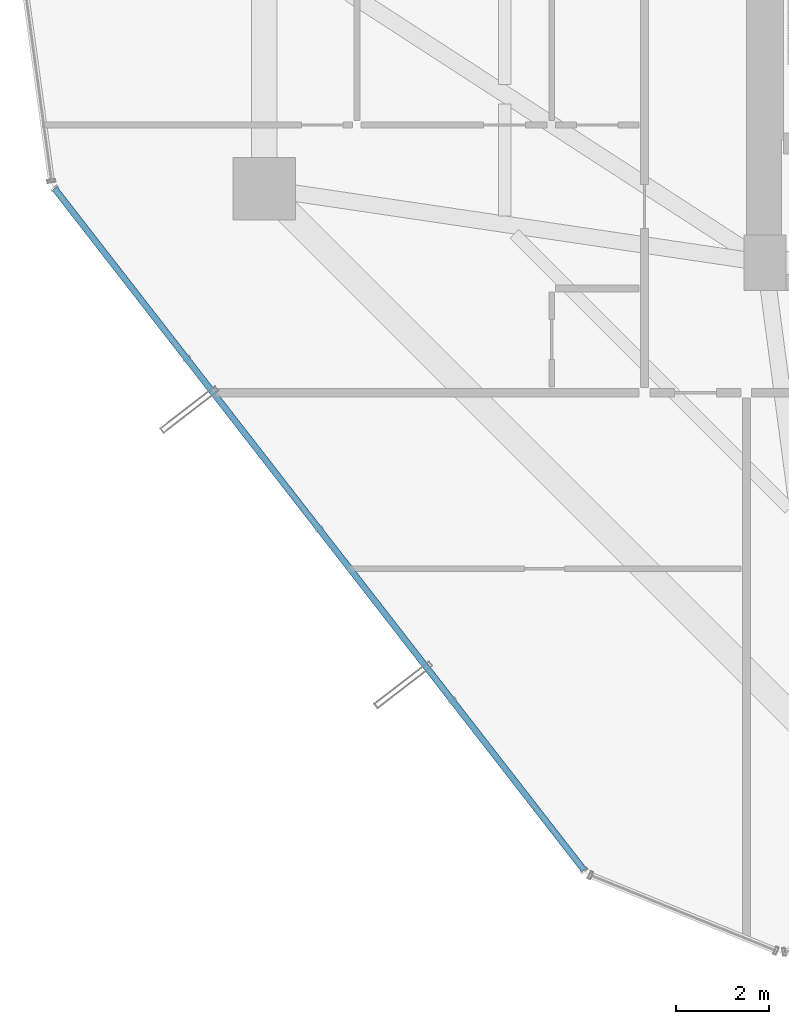
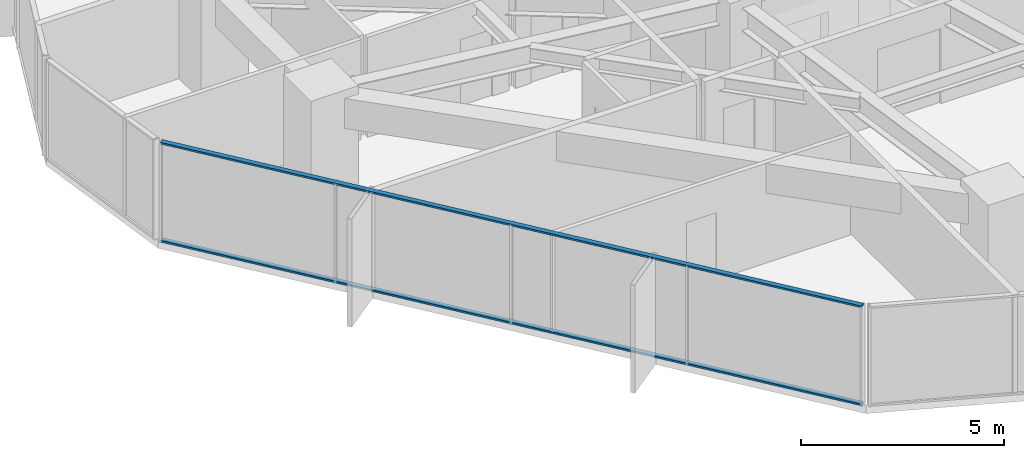
# One storey, part 3 of 37: 2 members, 1 element without a shape of its own.
"""IFC4 building model written with IfcOpenShell, lengths in metres."""

from ifc_helpers import new_model, si_unit, direction, frame, origin, origin_2d, place, context, subcontext, project, spatial, hollow_rectangle, extrude, source, transform, mapped, material, layer, layer_set, material_profile, profile_set, type_object, element, aggregate, save


model = new_model("IFC4")

# Units and contexts
model_context = context("Model", 3, precision=1e-05, world=origin(), true_north=direction((0.0, 1.0)))
body_context = subcontext(model_context, "Body", "Model", "MODEL_VIEW")
ifc_project = project(units=[si_unit("LENGTHUNIT", "METRE"), si_unit("AREAUNIT", "SQUARE_METRE"), si_unit("VOLUMEUNIT", "CUBIC_METRE"), si_unit("PLANEANGLEUNIT", "RADIAN"), si_unit("MASSUNIT", "GRAM", prefix="KILO")], contexts=[model_context])

# Site, building, storey
site_placement = place(None, origin())
site = spatial("IfcSite", under=ifc_project, at=site_placement, CompositionType="ELEMENT")
building_placement = place(site_placement, origin())
building = spatial("IfcBuilding", under=site, at=building_placement, Name="Veraguas Prism Commons", CompositionType="ELEMENT")
storey_placement = place(building_placement, frame((0.0, 0.0, 50.050048828125)))
storey = spatial("IfcBuildingStorey", under=building, at=storey_placement, Name="L13", CompositionType="ELEMENT", Elevation=50.050048828125)

# Curtain wall, members
ifc_material = material(Name="Anodised aluminium EN AW-6063 T6", Category="aluminium")
ifc_layer = layer(ifc_material, 0.169921875, Name="Unitised Flush Curtain Wall Zone 1", Category="aluminium")
ifc_layer_set = layer_set([ifc_layer], Name="Anodised aluminium EN AW-6063 T6")
curtain_wall_type = type_object("IfcCurtainWallType", Name="Unitised Flush Curtain Wall Zone 1", PredefinedType="NOTDEFINED", material=ifc_layer_set)
curtain_wall_placement = place(storey_placement, origin())
curtain_wall = element("IfcCurtainWall", 1, at=curtain_wall_placement, inside=storey, type_object=curtain_wall_type, Name="Tower Facade Curtain Wall L13-F4", PredefinedType="NOTDEFINED")
ifc_material_profile = material_profile(ifc_material, hollow_rectangle(XDim=0.054931640625, YDim=0.135009765625, WallThickness=0.0029296875, at=origin_2d()), Name="AL55X135X3")
ifc_profile_set = profile_set([ifc_material_profile], Name="Anodised aluminium EN AW-6063 T6")
member_type = type_object("IfcMemberType", Name="Curtain Wall Transom Standard AL 55x135x3", PredefinedType="USERDEFINED", material=ifc_profile_set)
shared_shape = source(origin(), body_context, "Body", "SweptSolid", [
    extrude(hollow_rectangle(XDim=0.054931640625, YDim=0.135009765625, WallThickness=0.0029296875, at=origin_2d()), origin(), (0.0, 0.0, 1.0), 18.6240234375),
])
member_1_placement = place(storey_placement, frame((1.873291015625, 18.603515625, 0.02734375), z_axis=(0.613461316455, -0.789724770545, 0.0), x_axis=(0.0, 0.0, 1.0)))
member_1 = element("IfcMember", 2, at=member_1_placement, type_object=member_type, Name="CW-Z1 Transom 1", ObjectType="TRANSOM", PredefinedType="USERDEFINED", context=body_context, shape_type="MappedRepresentation", body=[
    mapped(shared_shape, transform((0.0, 0.0, 0.0), scale=1.0)),
])
member_2_placement = place(storey_placement, frame((1.873291015625, 18.603515625, 2.972412109375), z_axis=(0.613461316455, -0.789724770545, 0.0), x_axis=(0.0, 0.0, 1.0)))
member_2 = element("IfcMember", 3, at=member_2_placement, type_object=member_type, Name="CW-Z1 Transom 2", ObjectType="TRANSOM", PredefinedType="USERDEFINED", context=body_context, shape_type="MappedRepresentation", body=[
    mapped(shared_shape, transform((0.0, 0.0, 0.0), scale=1.0)),
])
aggregate(curtain_wall, [member_1, member_2])

save(model, "model.ifc")
